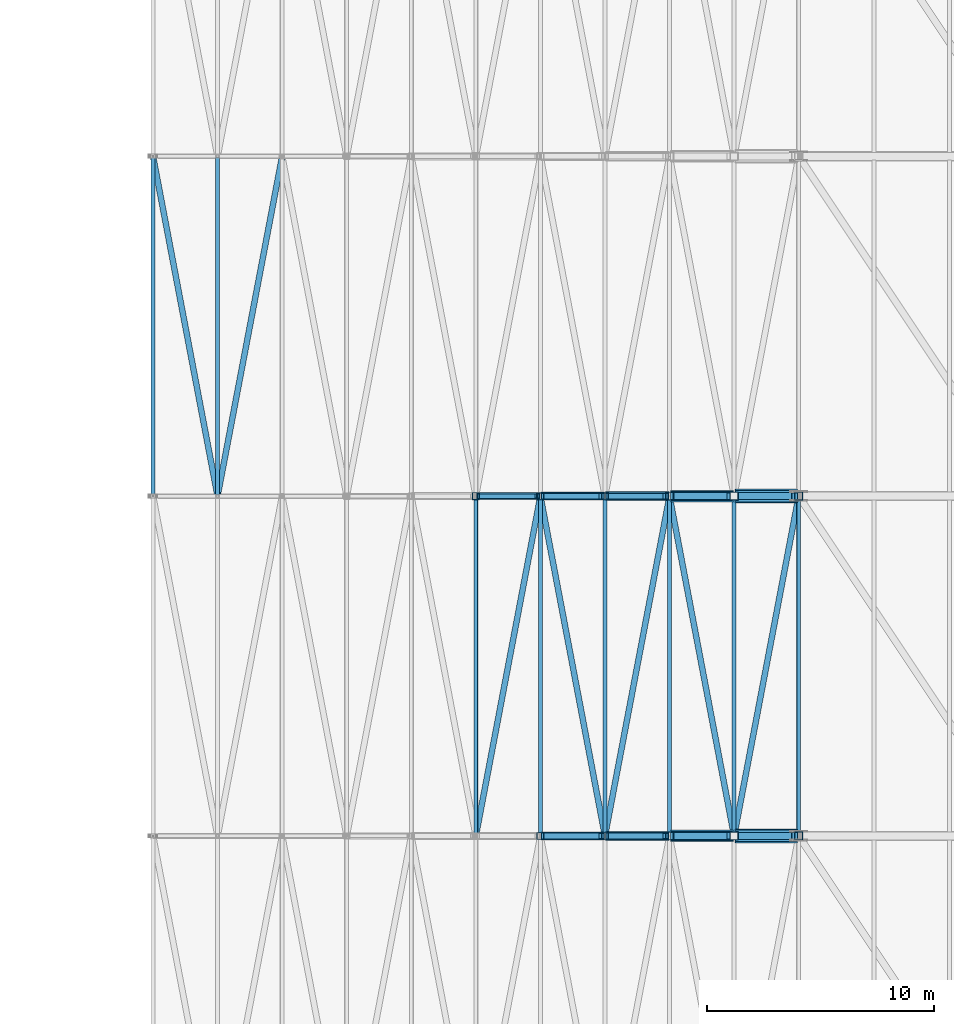
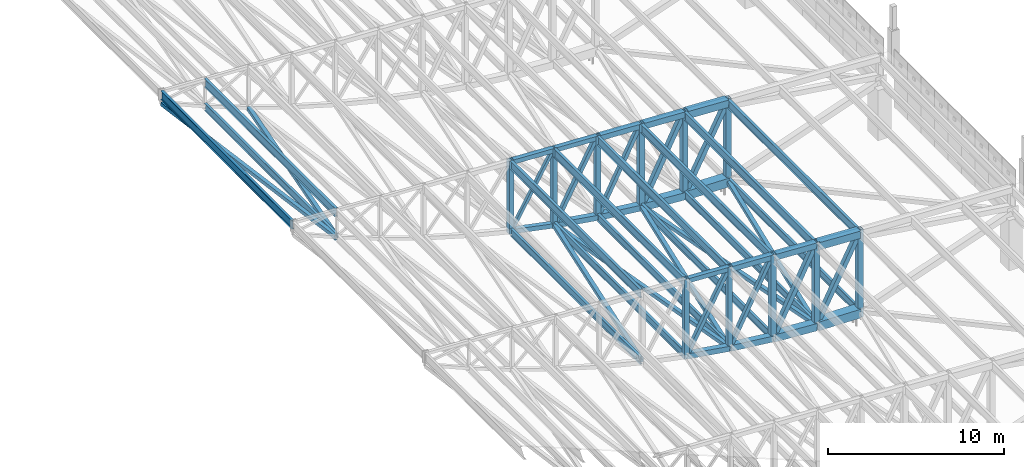
# One storey, part 58 of 278: 31 members, 29 beams.
"""IFC4 building model written with IfcOpenShell, lengths in metres."""

from ifc_helpers import new_model, si_unit, direction, frame, origin, origin_2d, place, context, subcontext, project, spatial, hollow_rectangle, i_section, extrude, material, material_profile, profile_set, type_object, element, save


model = new_model("IFC4")

# Units and contexts
model_context = context("Model", 3, precision=1e-05, world=origin(), true_north=direction((0.0, 1.0)))
body_context = subcontext(model_context, "Body", "Model", "MODEL_VIEW")
ifc_project = project(units=[si_unit("LENGTHUNIT", "METRE"), si_unit("AREAUNIT", "SQUARE_METRE"), si_unit("VOLUMEUNIT", "CUBIC_METRE"), si_unit("PLANEANGLEUNIT", "RADIAN"), si_unit("MASSUNIT", "GRAM", prefix="KILO")], contexts=[model_context])

# Site, building, storey
site_placement = place(None, origin())
site = spatial("IfcSite", under=ifc_project, at=site_placement, CompositionType="ELEMENT")
building_placement = place(site_placement, origin())
building = spatial("IfcBuilding", under=site, at=building_placement, Name="Ogive Plaza Stadium", CompositionType="ELEMENT")
storey_placement = place(building_placement, frame((0.0, 0.0, 29.0)))
storey = spatial("IfcBuildingStorey", under=building, at=storey_placement, Name="Roof", CompositionType="ELEMENT", Elevation=29.0)

# Members
ifc_material_1 = material(Name="Steel ASTM A500 Grade C", Category="steel")
ifc_material_profile_1 = material_profile(ifc_material_1, hollow_rectangle(XDim=0.25390625, YDim=0.25390625, WallThickness=0.0087890625, at=origin_2d()), Name="HSS10X10X3/8")
ifc_profile_set_1 = profile_set([ifc_material_profile_1], Name="Steel ASTM A500 Grade C")
member_type_1 = type_object("IfcMemberType", Name="Roof plan brace HSS10X10X3/8", PredefinedType="BRACE", material=ifc_profile_set_1)
member_1_placement = place(storey_placement, frame((45.513427734375, 22.4296875, 6.520751953125), z_axis=(0.1860644689, -0.979300227871, -0.079693645318), x_axis=(0.982424925297, 0.186658153196, 0.0)))
element("IfcMember", 1, at=member_1_placement, inside=storey, type_object=member_type_1, Name="ROOF BRACE B03 1", PredefinedType="BRACE", context=body_context, shape_type="SweptSolid", body=[
    extrude(hollow_rectangle(XDim=0.25390625, YDim=0.25390625, WallThickness=0.0087890625, at=origin_2d()), origin(), (0.0, 0.0, 1.0), 15.173583984375),
])
member_2_placement = place(storey_placement, frame((48.36328125, 7.5703125, 5.30078125), z_axis=(0.18619699352, 0.979917118172, -0.071366106221), x_axis=(-0.982422109195, 0.186672974385, 0.0)))
element("IfcMember", 2, at=member_2_placement, inside=storey, type_object=member_type_1, Name="ROOF BRACE B03 2", PredefinedType="BRACE", context=body_context, shape_type="SweptSolid", body=[
    extrude(hollow_rectangle(XDim=0.25390625, YDim=0.25390625, WallThickness=0.0087890625, at=origin_2d()), origin(), (0.0, 0.0, 1.0), 15.1376953125),
])
member_3_placement = place(storey_placement, frame((59.77783203125, -7.353271484375, 1.753173828125), z_axis=(0.186534960176, 0.981781820104, -0.036182403809), x_axis=(-0.982425109661, 0.186657182843, 0.0)))
element("IfcMember", 3, at=member_3_placement, inside=storey, type_object=member_type_1, Name="ROOF BRACE B04 6", PredefinedType="BRACE", context=body_context, shape_type="SweptSolid", body=[
    extrude(hollow_rectangle(XDim=0.25390625, YDim=0.25390625, WallThickness=0.0087890625, at=origin_2d()), origin(), (0.0, 0.0, 1.0), 14.9794921875),
])
member_4_placement = place(storey_placement, frame((62.6279296875, 7.353271484375, 1.20166015625), z_axis=(0.186585145076, -0.982045956233, -0.027779911508), x_axis=(0.982425109661, 0.186657182843, 0.0)))
element("IfcMember", 4, at=member_4_placement, inside=storey, type_object=member_type_1, Name="ROOF BRACE B04 7", PredefinedType="BRACE", context=body_context, shape_type="SweptSolid", body=[
    extrude(hollow_rectangle(XDim=0.25390625, YDim=0.25390625, WallThickness=0.0087890625, at=origin_2d()), origin(), (0.0, 0.0, 1.0), 14.975341796875),
])
member_5_placement = place(storey_placement, frame((65.477783203125, -7.353271484375, 0.77880859375), z_axis=(0.186639895054, 0.982268812283, -0.017706778071), x_axis=(-0.982422833867, 0.186669160538, 0.0)))
element("IfcMember", 5, at=member_5_placement, inside=storey, type_object=member_type_1, Name="ROOF BRACE B04 8", PredefinedType="BRACE", context=body_context, shape_type="SweptSolid", body=[
    extrude(hollow_rectangle(XDim=0.25390625, YDim=0.25390625, WallThickness=0.0087890625, at=origin_2d()), origin(), (0.0, 0.0, 1.0), 14.946044921875),
])
member_6_placement = place(storey_placement, frame((68.332763671875, 7.327880859375, 0.50927734375), z_axis=(0.186657320186, -0.982381109131, -0.009295226886), x_axis=(0.982423551356, 0.186665384421, 0.0)))
element("IfcMember", 6, at=member_6_placement, inside=storey, type_object=member_type_1, Name="ROOF BRACE B04 9", PredefinedType="BRACE", context=body_context, shape_type="SweptSolid", body=[
    extrude(hollow_rectangle(XDim=0.25390625, YDim=0.25390625, WallThickness=0.0087890625, at=origin_2d()), origin(), (0.0, 0.0, 1.0), 14.918701171875),
])
member_7_placement = place(storey_placement, frame((71.1826171875, -7.327880859375, 0.368408203125), z_axis=(0.186663720517, 0.982414794197, -0.004222272479), x_axis=(-0.982423551356, 0.186665384421, 0.0)))
element("IfcMember", 7, at=member_7_placement, inside=storey, type_object=member_type_1, Name="ROOF BRACE B04 10", PredefinedType="BRACE", context=body_context, shape_type="SweptSolid", body=[
    extrude(hollow_rectangle(XDim=0.25390625, YDim=0.25390625, WallThickness=0.0087890625, at=origin_2d()), origin(), (0.0, 0.0, 1.0), 14.918212890625),
])
ifc_material_2 = material(Name="Steel ASTM A992 Grade 50", Category="steel")
ifc_material_profile_2 = material_profile(ifc_material_2, i_section(OverallWidth=0.1650390625, OverallDepth=0.524658203125, WebThickness=0.0087890625, FlangeThickness=0.011474609375, at=origin_2d()), Name="W21X44")
ifc_profile_set_2 = profile_set([ifc_material_profile_2], Name="Steel ASTM A992 Grade 50")
member_type_2 = type_object("IfcMemberType", Name="Roof plan strut W21X44", PredefinedType="STRUT", material=ifc_profile_set_2)
member_8_placement = place(storey_placement, frame((48.35009765625, 22.453857421875, 5.305908203125), z_axis=(0.0, -1.0, 0.0), x_axis=(1.0, 0.0, 0.0)))
element("IfcMember", 8, at=member_8_placement, inside=storey, type_object=member_type_2, Name="ROOF STRUT B03 1", PredefinedType="STRUT", context=body_context, shape_type="SweptSolid", body=[
    extrude(i_section(OverallWidth=0.1650390625, OverallDepth=0.524658203125, WebThickness=0.0087890625, FlangeThickness=0.011474609375, at=origin_2d()), origin(), (0.0, 0.0, 1.0), 14.90771484375),
])
for number, where, z_axis, x_axis, name in (
    (9, (59.75, 7.377685546875, 1.758544921875), (0.0, -1.0, 0.0), (1.0, 0.0, 0.0), "ROOF STRUT B04 5"),
    (10, (62.60009765625, 7.377685546875, 1.205810546875), (0.0, -1.0, 0.0), (1.0, 0.0, 0.0), "ROOF STRUT B04 6"),
    (11, (65.449951171875, 7.377685546875, 0.781494140625), (0.0, -1.0, 0.0), (1.0, 0.0, 0.0), "ROOF STRUT B04 7"),
):
    element("IfcMember", number, at=place(storey_placement, frame(where, z_axis=z_axis, x_axis=x_axis)), inside=storey, type_object=member_type_2, Name=name, PredefinedType="STRUT", context=body_context, shape_type="SweptSolid", body=[
        extrude(i_section(OverallWidth=0.1650390625, OverallDepth=0.524658203125, WebThickness=0.0087890625, FlangeThickness=0.011474609375, at=origin_2d()), origin(), (0.0, 0.0, 1.0), 14.75537109375),
    ])
for number, where, z_axis, x_axis, name in (
    (12, (68.300048828125, 7.352294921875, 0.510986328125), (0.0, -1.0, 0.0), (1.0, 0.0, 0.0), "ROOF STRUT B04 8"),
    (13, (71.14990234375, 7.352294921875, 0.369140625), (0.0, -1.0, 0.0), (1.0, 0.0, 0.0), "ROOF STRUT B04 9"),
    (14, (74.0, 7.352294921875, 0.3046875), (0.0, -1.0, 0.0), (1.0, 0.0, 0.0), "ROOF STRUT B04 10"),
):
    element("IfcMember", number, at=place(storey_placement, frame(where, z_axis=z_axis, x_axis=x_axis)), inside=storey, type_object=member_type_2, Name=name, PredefinedType="STRUT", context=body_context, shape_type="SweptSolid", body=[
        extrude(i_section(OverallWidth=0.1650390625, OverallDepth=0.524658203125, WebThickness=0.0087890625, FlangeThickness=0.011474609375, at=origin_2d()), origin(), (0.0, 0.0, 1.0), 14.70458984375),
    ])
ifc_material_3 = material(Name="Steel ASTM A992 Grade 50", Category="steel")
ifc_material_profile_3 = material_profile(ifc_material_3, i_section(OverallWidth=0.177978515625, OverallDepth=0.5986328125, WebThickness=0.010009765625, FlangeThickness=0.012939453125, at=origin_2d()), Name="W24X55")
ifc_profile_set_3 = profile_set([ifc_material_profile_3], Name="Steel ASTM A992 Grade 50")
member_type_3 = type_object("IfcMemberType", Name="Roof purlin W24X55", PredefinedType="PURLIN", material=ifc_profile_set_3)
member_9_placement = place(storey_placement, frame((48.35009765625, 22.453857421875, 6.983154296875), z_axis=(0.0, -1.0, 0.0), x_axis=(1.0, 0.0, 0.0)))
element("IfcMember", 15, at=member_9_placement, inside=storey, type_object=member_type_3, Name="ROOF PURLIN B03 1", PredefinedType="PURLIN", context=body_context, shape_type="SweptSolid", body=[
    extrude(i_section(OverallWidth=0.177978515625, OverallDepth=0.5986328125, WebThickness=0.010009765625, FlangeThickness=0.012939453125, at=origin_2d()), origin(), (0.0, 0.0, 1.0), 14.90771484375),
])
for number, where, z_axis, x_axis, name in (
    (16, (59.75, 7.377685546875, 6.4130859375), (0.0, -1.0, 0.0), (1.0, 0.0, 0.0), "ROOF PURLIN B04 5"),
    (17, (62.60009765625, 7.377685546875, 6.270751953125), (0.0, -1.0, 0.0), (1.0, 0.0, 0.0), "ROOF PURLIN B04 6"),
    (18, (65.449951171875, 7.377685546875, 6.128173828125), (0.0, -1.0, 0.0), (1.0, 0.0, 0.0), "ROOF PURLIN B04 7"),
):
    element("IfcMember", number, at=place(storey_placement, frame(where, z_axis=z_axis, x_axis=x_axis)), inside=storey, type_object=member_type_3, Name=name, PredefinedType="PURLIN", context=body_context, shape_type="SweptSolid", body=[
        extrude(i_section(OverallWidth=0.177978515625, OverallDepth=0.5986328125, WebThickness=0.010009765625, FlangeThickness=0.012939453125, at=origin_2d()), origin(), (0.0, 0.0, 1.0), 14.75537109375),
    ])
for number, where, z_axis, x_axis, name in (
    (19, (68.300048828125, 7.352294921875, 5.985595703125), (0.0, -1.0, 0.0), (1.0, 0.0, 0.0), "ROOF PURLIN B04 8"),
    (20, (71.14990234375, 7.352294921875, 5.84326171875), (0.0, -1.0, 0.0), (1.0, 0.0, 0.0), "ROOF PURLIN B04 9"),
    (21, (74.0, 7.352294921875, 5.70068359375), (0.0, -1.0, 0.0), (1.0, 0.0, 0.0), "ROOF PURLIN B04 10"),
):
    element("IfcMember", number, at=place(storey_placement, frame(where, z_axis=z_axis, x_axis=x_axis)), inside=storey, type_object=member_type_3, Name=name, PredefinedType="PURLIN", context=body_context, shape_type="SweptSolid", body=[
        extrude(i_section(OverallWidth=0.177978515625, OverallDepth=0.5986328125, WebThickness=0.010009765625, FlangeThickness=0.012939453125, at=origin_2d()), origin(), (0.0, 0.0, 1.0), 14.70458984375),
    ])
ifc_material_4 = material(Name="Steel ASTM A992 Grade 50", Category="steel")
ifc_material_profile_4 = material_profile(ifc_material_4, i_section(OverallWidth=0.177978515625, OverallDepth=0.5986328125, WebThickness=0.010009765625, FlangeThickness=0.012939453125, at=origin_2d()), Name="W24X55")
ifc_profile_set_4 = profile_set([ifc_material_profile_4], Name="Steel ASTM A992 Grade 50")
member_type_4 = type_object("IfcMemberType", Name="Roof tip ring beam W24X55", PredefinedType="MEMBER", material=ifc_profile_set_4)
member_10_placement = place(storey_placement, frame((45.5, 22.453857421875, 7.125732421875), z_axis=(0.0, -1.0, 0.0), x_axis=(1.0, 0.0, 0.0)))
element("IfcMember", 22, at=member_10_placement, inside=storey, type_object=member_type_4, Name="RING BEAM B03", PredefinedType="MEMBER", context=body_context, shape_type="SweptSolid", body=[
    extrude(i_section(OverallWidth=0.177978515625, OverallDepth=0.5986328125, WebThickness=0.010009765625, FlangeThickness=0.012939453125, at=origin_2d()), origin(), (0.0, 0.0, 1.0), 14.90771484375),
])

# Beams
ifc_material_5 = material(Name="Steel ASTM A500 Grade C", Category="steel")
ifc_material_profile_5 = material_profile(ifc_material_5, hollow_rectangle(XDim=0.3046875, YDim=0.3046875, WallThickness=0.0146484375, at=origin_2d()), Name="HSS12X12X5/8")
ifc_profile_set_5 = profile_set([ifc_material_profile_5], Name="Steel ASTM A500 Grade C")
beam_type_1 = type_object("IfcBeamType", Name="Roof truss bottom chord HSS12X12X5/8", PredefinedType="BEAM", material=ifc_profile_set_5)
beam_1_placement = place(storey_placement, frame((59.800048828125, 7.5, 1.751708984375), z_axis=(0.980021250437, 0.0, -0.19889280704), x_axis=(0.0, 1.0, 0.0)))
element("IfcBeam", 23, at=beam_1_placement, inside=storey, type_object=beam_type_1, Name="ROOF TRUSS T04 BOTTOM CHORD 6", PredefinedType="BEAM", context=body_context, shape_type="SweptSolid", body=[
    extrude(hollow_rectangle(XDim=0.3046875, YDim=0.3046875, WallThickness=0.0146484375, at=origin_2d()), origin(), (0.0, 0.0, 1.0), 2.80615234375),
])
ifc_material_6 = material(Name="Steel ASTM A500 Grade C", Category="steel")
ifc_material_profile_6 = material_profile(ifc_material_6, hollow_rectangle(XDim=0.355712890625, YDim=0.355712890625, WallThickness=0.0146484375, at=origin_2d()), Name="HSS14X14X5/8")
ifc_profile_set_6 = profile_set([ifc_material_profile_6], Name="Steel ASTM A500 Grade C")
beam_type_2 = type_object("IfcBeamType", Name="Roof truss bottom chord HSS14X14X5/8", PredefinedType="BEAM", material=ifc_profile_set_6)
for number, where, z_axis, x_axis, name in (
    (24, (62.64990234375, 7.5, 1.2001953125), (0.987770074518, 0.0, -0.155917541947), (0.0, 1.0, 0.0), "ROOF TRUSS T04 BOTTOM CHORD 7"),
    (25, (62.64990234375, -7.5, 1.2001953125), (0.987770074518, 0.0, -0.155917541947), (0.0, 1.0, 0.0), "ROOF TRUSS T05 BOTTOM CHORD 7"),
):
    element("IfcBeam", number, at=place(storey_placement, frame(where, z_axis=z_axis, x_axis=x_axis)), inside=storey, type_object=beam_type_2, Name=name, PredefinedType="BEAM", context=body_context, shape_type="SweptSolid", body=[
        extrude(hollow_rectangle(XDim=0.355712890625, YDim=0.355712890625, WallThickness=0.0146484375, at=origin_2d()), origin(), (0.0, 0.0, 1.0), 2.783935546875),
    ])
ifc_material_7 = material(Name="Steel ASTM A500 Grade C", Category="steel")
ifc_material_profile_7 = material_profile(ifc_material_7, hollow_rectangle(XDim=0.406494140625, YDim=0.406494140625, WallThickness=0.0146484375, at=origin_2d()), Name="HSS16X16X5/8")
ifc_profile_set_7 = profile_set([ifc_material_profile_7], Name="Steel ASTM A500 Grade C")
beam_type_3 = type_object("IfcBeamType", Name="Roof truss bottom chord HSS16X16X5/8", PredefinedType="BEAM", material=ifc_profile_set_7)
for number, where, z_axis, x_axis, name in (
    (26, (65.5, 7.5, 0.777099609375), (0.993703844406, 0.0, -0.112038696946), (0.0, 1.0, 0.0), "ROOF TRUSS T04 BOTTOM CHORD 8"),
    (27, (65.5, -7.5, 0.777099609375), (0.993703844406, 0.0, -0.112038696946), (0.0, 1.0, 0.0), "ROOF TRUSS T05 BOTTOM CHORD 8"),
):
    element("IfcBeam", number, at=place(storey_placement, frame(where, z_axis=z_axis, x_axis=x_axis)), inside=storey, type_object=beam_type_3, Name=name, PredefinedType="BEAM", context=body_context, shape_type="SweptSolid", body=[
        extrude(hollow_rectangle(XDim=0.406494140625, YDim=0.406494140625, WallThickness=0.0146484375, at=origin_2d()), origin(), (0.0, 0.0, 1.0), 2.767333984375),
    ])
ifc_material_8 = material(Name="Steel ASTM A500 Grade C", Category="steel")
ifc_material_profile_8 = material_profile(ifc_material_8, hollow_rectangle(XDim=0.508056640625, YDim=0.508056640625, WallThickness=0.0146484375, at=origin_2d()), Name="HSS20X20X5/8")
ifc_profile_set_8 = profile_set([ifc_material_profile_8], Name="Steel ASTM A500 Grade C")
beam_type_4 = type_object("IfcBeamType", Name="Roof truss bottom chord HSS20X20X5/8", PredefinedType="BEAM", material=ifc_profile_set_8)
for number, where, z_axis, x_axis, name in (
    (28, (68.35009765625, 7.5, 0.50830078125), (0.997719620387, 0.0, -0.06749488199), (0.0, 1.0, 0.0), "ROOF TRUSS T04 BOTTOM CHORD 9"),
    (29, (68.35009765625, -7.5, 0.50830078125), (0.997719620387, 0.0, -0.06749488199), (0.0, 1.0, 0.0), "ROOF TRUSS T05 BOTTOM CHORD 9"),
):
    element("IfcBeam", number, at=place(storey_placement, frame(where, z_axis=z_axis, x_axis=x_axis)), inside=storey, type_object=beam_type_4, Name=name, PredefinedType="BEAM", context=body_context, shape_type="SweptSolid", body=[
        extrude(hollow_rectangle(XDim=0.508056640625, YDim=0.508056640625, WallThickness=0.0146484375, at=origin_2d()), origin(), (0.0, 0.0, 1.0), 2.75634765625),
    ])
ifc_material_9 = material(Name="Steel ASTM A500 Grade C", Category="steel")
ifc_material_profile_9 = material_profile(ifc_material_9, hollow_rectangle(XDim=0.609619140625, YDim=0.609619140625, WallThickness=0.0146484375, at=origin_2d()), Name="HSS24X24X5/8")
ifc_profile_set_9 = profile_set([ifc_material_profile_9], Name="Steel ASTM A500 Grade C")
beam_type_5 = type_object("IfcBeamType", Name="Roof truss bottom chord HSS24X24X5/8", PredefinedType="BEAM", material=ifc_profile_set_9)
for number, where, z_axis, x_axis, name in (
    (30, (71.199951171875, 7.5, 0.367919921875), (0.999745852076, 0.0, -0.022543984946), (0.0, 1.0, 0.0), "ROOF TRUSS T04 BOTTOM CHORD 10"),
    (31, (71.199951171875, -7.5, 0.367919921875), (0.999745852076, 0.0, -0.022543984946), (0.0, 1.0, 0.0), "ROOF TRUSS T05 BOTTOM CHORD 10"),
):
    element("IfcBeam", number, at=place(storey_placement, frame(where, z_axis=z_axis, x_axis=x_axis)), inside=storey, type_object=beam_type_5, Name=name, PredefinedType="BEAM", context=body_context, shape_type="SweptSolid", body=[
        extrude(hollow_rectangle(XDim=0.609619140625, YDim=0.609619140625, WallThickness=0.0146484375, at=origin_2d()), origin(), (0.0, 0.0, 1.0), 2.750732421875),
    ])

# Members
ifc_material_10 = material(Name="Steel ASTM A500 Grade C", Category="steel")
ifc_material_profile_10 = material_profile(ifc_material_10, hollow_rectangle(XDim=0.25390625, YDim=0.25390625, WallThickness=0.0087890625, at=origin_2d()), Name="HSS10X10X3/8")
ifc_profile_set_10 = profile_set([ifc_material_profile_10], Name="Steel ASTM A500 Grade C")
member_type_5 = type_object("IfcMemberType", Name="Roof truss diagonal HSS10X10X3/8", PredefinedType="BRACE", material=ifc_profile_set_10)
member_11_placement = place(storey_placement, frame((62.75244140625, 7.5, 1.383544921875), z_axis=(0.473127942579, 0.0, 0.880993728667), x_axis=(0.0, 1.0, 0.0)))
element("IfcMember", 32, at=member_11_placement, inside=storey, type_object=member_type_5, Name="ROOF TRUSS T04 DIAGONAL 7", PredefinedType="BRACE", context=body_context, shape_type="SweptSolid", body=[
    extrude(hollow_rectangle(XDim=0.25390625, YDim=0.25390625, WallThickness=0.0087890625, at=origin_2d()), origin(), (0.0, 0.0, 1.0), 5.37939453125),
])
member_12_placement = place(storey_placement, frame((65.602294921875, 7.5, 0.984619140625), z_axis=(0.454062843231, 0.0, 0.890969659639), x_axis=(0.0, 1.0, 0.0)))
element("IfcMember", 33, at=member_12_placement, inside=storey, type_object=member_type_5, Name="ROOF TRUSS T04 DIAGONAL 8", PredefinedType="BRACE", context=body_context, shape_type="SweptSolid", body=[
    extrude(hollow_rectangle(XDim=0.25390625, YDim=0.25390625, WallThickness=0.0087890625, at=origin_2d()), origin(), (0.0, 0.0, 1.0), 5.550048828125),
])
member_13_placement = place(storey_placement, frame((62.75244140625, -7.5, 1.383544921875), z_axis=(0.473127942579, 0.0, 0.880993728667), x_axis=(0.0, 1.0, 0.0)))
element("IfcMember", 34, at=member_13_placement, inside=storey, type_object=member_type_5, Name="ROOF TRUSS T05 DIAGONAL 7", PredefinedType="BRACE", context=body_context, shape_type="SweptSolid", body=[
    extrude(hollow_rectangle(XDim=0.25390625, YDim=0.25390625, WallThickness=0.0087890625, at=origin_2d()), origin(), (0.0, 0.0, 1.0), 5.37939453125),
])
member_14_placement = place(storey_placement, frame((65.602294921875, -7.5, 0.984619140625), z_axis=(0.454062843231, 0.0, 0.890969659639), x_axis=(0.0, 1.0, 0.0)))
element("IfcMember", 35, at=member_14_placement, inside=storey, type_object=member_type_5, Name="ROOF TRUSS T05 DIAGONAL 8", PredefinedType="BRACE", context=body_context, shape_type="SweptSolid", body=[
    extrude(hollow_rectangle(XDim=0.25390625, YDim=0.25390625, WallThickness=0.0087890625, at=origin_2d()), origin(), (0.0, 0.0, 1.0), 5.550048828125),
])
ifc_material_11 = material(Name="Steel ASTM A500 Grade C", Category="steel")
ifc_material_profile_11 = material_profile(ifc_material_11, hollow_rectangle(XDim=0.3046875, YDim=0.3046875, WallThickness=0.0087890625, at=origin_2d()), Name="HSS12X12X3/8")
ifc_profile_set_11 = profile_set([ifc_material_profile_11], Name="Steel ASTM A500 Grade C")
member_type_6 = type_object("IfcMemberType", Name="Roof truss diagonal HSS12X12X3/8", PredefinedType="BRACE", material=ifc_profile_set_11)
member_15_placement = place(storey_placement, frame((68.477783203125, 7.5, 0.764892578125), z_axis=(0.448477330766, 0.0, 0.893794206621), x_axis=(0.0, 1.0, 0.0)))
element("IfcMember", 36, at=member_15_placement, inside=storey, type_object=member_type_6, Name="ROOF TRUSS T04 DIAGONAL 9", PredefinedType="BRACE", context=body_context, shape_type="SweptSolid", body=[
    extrude(hollow_rectangle(XDim=0.3046875, YDim=0.3046875, WallThickness=0.0087890625, at=origin_2d()), origin(), (0.0, 0.0, 1.0), 5.56201171875),
])
member_16_placement = place(storey_placement, frame((71.327880859375, 7.5, 0.673828125), z_axis=(0.459750963822, 0.0, 0.888047887934), x_axis=(0.0, 1.0, 0.0)))
element("IfcMember", 37, at=member_16_placement, inside=storey, type_object=member_type_6, Name="ROOF TRUSS T04 DIAGONAL 10", PredefinedType="BRACE", context=body_context, shape_type="SweptSolid", body=[
    extrude(hollow_rectangle(XDim=0.3046875, YDim=0.3046875, WallThickness=0.0087890625, at=origin_2d()), origin(), (0.0, 0.0, 1.0), 5.425537109375),
])
member_17_placement = place(storey_placement, frame((68.477783203125, -7.5, 0.764892578125), z_axis=(0.448477330766, 0.0, 0.893794206621), x_axis=(0.0, 1.0, 0.0)))
element("IfcMember", 38, at=member_17_placement, inside=storey, type_object=member_type_6, Name="ROOF TRUSS T05 DIAGONAL 9", PredefinedType="BRACE", context=body_context, shape_type="SweptSolid", body=[
    extrude(hollow_rectangle(XDim=0.3046875, YDim=0.3046875, WallThickness=0.0087890625, at=origin_2d()), origin(), (0.0, 0.0, 1.0), 5.56201171875),
])
member_18_placement = place(storey_placement, frame((71.327880859375, -7.5, 0.673828125), z_axis=(0.459750963822, 0.0, 0.888047887934), x_axis=(0.0, 1.0, 0.0)))
element("IfcMember", 39, at=member_18_placement, inside=storey, type_object=member_type_6, Name="ROOF TRUSS T05 DIAGONAL 10", PredefinedType="BRACE", context=body_context, shape_type="SweptSolid", body=[
    extrude(hollow_rectangle(XDim=0.3046875, YDim=0.3046875, WallThickness=0.0087890625, at=origin_2d()), origin(), (0.0, 0.0, 1.0), 5.425537109375),
])
ifc_material_12 = material(Name="Steel ASTM A500 Grade C", Category="steel")
ifc_material_profile_12 = material_profile(ifc_material_12, hollow_rectangle(XDim=0.203125, YDim=0.203125, WallThickness=0.0087890625, at=origin_2d()), Name="HSS8X8X3/8")
ifc_profile_set_12 = profile_set([ifc_material_profile_12], Name="Steel ASTM A500 Grade C")
member_type_7 = type_object("IfcMemberType", Name="Roof truss diagonal HSS8X8X3/8", PredefinedType="BRACE", material=ifc_profile_set_12)
member_19_placement = place(storey_placement, frame((59.90234375, 7.5, 1.9111328125), z_axis=(0.504659398762, 0.0, 0.863318534054), x_axis=(0.0, 1.0, 0.0)))
element("IfcMember", 40, at=member_19_placement, inside=storey, type_object=member_type_7, Name="ROOF TRUSS T04 DIAGONAL 6", PredefinedType="BRACE", context=body_context, shape_type="SweptSolid", body=[
    extrude(hollow_rectangle(XDim=0.203125, YDim=0.203125, WallThickness=0.0087890625, at=origin_2d()), origin(), (0.0, 0.0, 1.0), 5.043212890625),
])

# Beams
ifc_material_13 = material(Name="Steel ASTM A500 Grade C", Category="steel")
ifc_material_profile_13 = material_profile(ifc_material_13, hollow_rectangle(XDim=0.3046875, YDim=0.3046875, WallThickness=0.01171875, at=origin_2d()), Name="HSS12X12X1/2")
ifc_profile_set_13 = profile_set([ifc_material_profile_13], Name="Steel ASTM A500 Grade C")
beam_type_6 = type_object("IfcBeamType", Name="Roof truss post HSS12X12X1/2", PredefinedType="BEAM", material=ifc_profile_set_13)
beam_2_placement = place(storey_placement, frame((59.75, 7.5, 1.606201171875), z_axis=(0.0, 0.0, 1.0), x_axis=(0.0, 1.0, 0.0)))
element("IfcBeam", 41, at=beam_2_placement, inside=storey, type_object=beam_type_6, Name="ROOF TRUSS T04 POST 6", PredefinedType="BEAM", context=body_context, shape_type="SweptSolid", body=[
    extrude(hollow_rectangle(XDim=0.3046875, YDim=0.3046875, WallThickness=0.01171875, at=origin_2d()), origin(), (0.0, 0.0, 1.0), 5.106201171875),
])
ifc_material_14 = material(Name="Steel ASTM A500 Grade C", Category="steel")
ifc_material_profile_14 = material_profile(ifc_material_14, hollow_rectangle(XDim=0.3046875, YDim=0.3046875, WallThickness=0.0146484375, at=origin_2d()), Name="HSS12X12X5/8")
ifc_profile_set_14 = profile_set([ifc_material_profile_14], Name="Steel ASTM A500 Grade C")
beam_type_7 = type_object("IfcBeamType", Name="Roof truss post HSS12X12X5/8", PredefinedType="BEAM", material=ifc_profile_set_14)
beam_3_placement = place(storey_placement, frame((62.60009765625, 7.5, 1.028076171875), z_axis=(0.0, 0.0, 1.0), x_axis=(0.0, 1.0, 0.0)))
element("IfcBeam", 42, at=beam_3_placement, inside=storey, type_object=beam_type_7, Name="ROOF TRUSS T04 POST 7", PredefinedType="BEAM", context=body_context, shape_type="SweptSolid", body=[
    extrude(hollow_rectangle(XDim=0.3046875, YDim=0.3046875, WallThickness=0.0146484375, at=origin_2d()), origin(), (0.0, 0.0, 1.0), 5.5419921875),
])
beam_4_placement = place(storey_placement, frame((65.449951171875, 7.5, 0.578369140625), z_axis=(0.0, 0.0, 1.0), x_axis=(0.0, 1.0, 0.0)))
element("IfcBeam", 43, at=beam_4_placement, inside=storey, type_object=beam_type_7, Name="ROOF TRUSS T04 POST 8", PredefinedType="BEAM", context=body_context, shape_type="SweptSolid", body=[
    extrude(hollow_rectangle(XDim=0.3046875, YDim=0.3046875, WallThickness=0.0146484375, at=origin_2d()), origin(), (0.0, 0.0, 1.0), 5.84912109375),
])
beam_5_placement = place(storey_placement, frame((62.60009765625, -7.5, 1.028076171875), z_axis=(0.0, 0.0, 1.0), x_axis=(0.0, 1.0, 0.0)))
element("IfcBeam", 44, at=beam_5_placement, inside=storey, type_object=beam_type_7, Name="ROOF TRUSS T05 POST 7", PredefinedType="BEAM", context=body_context, shape_type="SweptSolid", body=[
    extrude(hollow_rectangle(XDim=0.3046875, YDim=0.3046875, WallThickness=0.0146484375, at=origin_2d()), origin(), (0.0, 0.0, 1.0), 5.5419921875),
])
beam_6_placement = place(storey_placement, frame((65.449951171875, -7.5, 0.578369140625), z_axis=(0.0, 0.0, 1.0), x_axis=(0.0, 1.0, 0.0)))
element("IfcBeam", 45, at=beam_6_placement, inside=storey, type_object=beam_type_7, Name="ROOF TRUSS T05 POST 8", PredefinedType="BEAM", context=body_context, shape_type="SweptSolid", body=[
    extrude(hollow_rectangle(XDim=0.3046875, YDim=0.3046875, WallThickness=0.0146484375, at=origin_2d()), origin(), (0.0, 0.0, 1.0), 5.84912109375),
])
ifc_material_15 = material(Name="Steel ASTM A500 Grade C", Category="steel")
ifc_material_profile_15 = material_profile(ifc_material_15, hollow_rectangle(XDim=0.355712890625, YDim=0.355712890625, WallThickness=0.0146484375, at=origin_2d()), Name="HSS14X14X5/8")
ifc_profile_set_15 = profile_set([ifc_material_profile_15], Name="Steel ASTM A500 Grade C")
beam_type_8 = type_object("IfcBeamType", Name="Roof truss post HSS14X14X5/8", PredefinedType="BEAM", material=ifc_profile_set_15)
beam_7_placement = place(storey_placement, frame((68.300048828125, 7.5, 0.257080078125), z_axis=(0.0, 0.0, 1.0), x_axis=(0.0, 1.0, 0.0)))
element("IfcBeam", 46, at=beam_7_placement, inside=storey, type_object=beam_type_8, Name="ROOF TRUSS T04 POST 9", PredefinedType="BEAM", context=body_context, shape_type="SweptSolid", body=[
    extrude(hollow_rectangle(XDim=0.355712890625, YDim=0.355712890625, WallThickness=0.0146484375, at=origin_2d()), origin(), (0.0, 0.0, 1.0), 6.02783203125),
])
beam_8_placement = place(storey_placement, frame((71.14990234375, 7.5, 0.064208984375), z_axis=(0.0, 0.0, 1.0), x_axis=(0.0, 1.0, 0.0)))
element("IfcBeam", 47, at=beam_8_placement, inside=storey, type_object=beam_type_8, Name="ROOF TRUSS T04 POST 10", PredefinedType="BEAM", context=body_context, shape_type="SweptSolid", body=[
    extrude(hollow_rectangle(XDim=0.355712890625, YDim=0.355712890625, WallThickness=0.0146484375, at=origin_2d()), origin(), (0.0, 0.0, 1.0), 6.078369140625),
])
beam_9_placement = place(storey_placement, frame((74.0, 7.5, -0.06005859375), z_axis=(0.0, 0.0, 1.0), x_axis=(0.0, 1.0, 0.0)))
element("IfcBeam", 48, at=beam_9_placement, inside=storey, type_object=beam_type_8, Name="ROOF TRUSS T04 POST 11", PredefinedType="BEAM", context=body_context, shape_type="SweptSolid", body=[
    extrude(hollow_rectangle(XDim=0.355712890625, YDim=0.355712890625, WallThickness=0.0146484375, at=origin_2d()), origin(), (0.0, 0.0, 1.0), 6.06005859375),
])
beam_10_placement = place(storey_placement, frame((68.300048828125, -7.5, 0.257080078125), z_axis=(0.0, 0.0, 1.0), x_axis=(0.0, 1.0, 0.0)))
element("IfcBeam", 49, at=beam_10_placement, inside=storey, type_object=beam_type_8, Name="ROOF TRUSS T05 POST 9", PredefinedType="BEAM", context=body_context, shape_type="SweptSolid", body=[
    extrude(hollow_rectangle(XDim=0.355712890625, YDim=0.355712890625, WallThickness=0.0146484375, at=origin_2d()), origin(), (0.0, 0.0, 1.0), 6.02783203125),
])
beam_11_placement = place(storey_placement, frame((71.14990234375, -7.5, 0.064208984375), z_axis=(0.0, 0.0, 1.0), x_axis=(0.0, 1.0, 0.0)))
element("IfcBeam", 50, at=beam_11_placement, inside=storey, type_object=beam_type_8, Name="ROOF TRUSS T05 POST 10", PredefinedType="BEAM", context=body_context, shape_type="SweptSolid", body=[
    extrude(hollow_rectangle(XDim=0.355712890625, YDim=0.355712890625, WallThickness=0.0146484375, at=origin_2d()), origin(), (0.0, 0.0, 1.0), 6.078369140625),
])
beam_12_placement = place(storey_placement, frame((74.0, -7.5, -0.06005859375), z_axis=(0.0, 0.0, 1.0), x_axis=(0.0, 1.0, 0.0)))
element("IfcBeam", 51, at=beam_12_placement, inside=storey, type_object=beam_type_8, Name="ROOF TRUSS T05 POST 11", PredefinedType="BEAM", context=body_context, shape_type="SweptSolid", body=[
    extrude(hollow_rectangle(XDim=0.355712890625, YDim=0.355712890625, WallThickness=0.0146484375, at=origin_2d()), origin(), (0.0, 0.0, 1.0), 6.06005859375),
])
ifc_material_16 = material(Name="Steel ASTM A500 Grade C", Category="steel")
ifc_material_profile_16 = material_profile(ifc_material_16, hollow_rectangle(XDim=0.3046875, YDim=0.3046875, WallThickness=0.01171875, at=origin_2d()), Name="HSS12X12X1/2")
ifc_profile_set_16 = profile_set([ifc_material_profile_16], Name="Steel ASTM A500 Grade C")
beam_type_9 = type_object("IfcBeamType", Name="Roof truss top chord HSS12X12X1/2", PredefinedType="BEAM", material=ifc_profile_set_16)
for number, where, z_axis, x_axis, name in (
    (52, (62.64990234375, 7.5, 6.414794921875), (0.998753223187, 0.0, -0.049919927615), (0.0, 1.0, 0.0), "ROOF TRUSS T04 TOP CHORD 7"),
    (53, (62.64990234375, -7.5, 6.414794921875), (0.998753223187, 0.0, -0.049919927615), (0.0, 1.0, 0.0), "ROOF TRUSS T05 TOP CHORD 7"),
):
    element("IfcBeam", number, at=place(storey_placement, frame(where, z_axis=z_axis, x_axis=x_axis)), inside=storey, type_object=beam_type_9, Name=name, PredefinedType="BEAM", context=body_context, shape_type="SweptSolid", body=[
        extrude(hollow_rectangle(XDim=0.3046875, YDim=0.3046875, WallThickness=0.01171875, at=origin_2d()), origin(), (0.0, 0.0, 1.0), 2.75341796875),
    ])
ifc_material_17 = material(Name="Steel ASTM A500 Grade C", Category="steel")
ifc_material_profile_17 = material_profile(ifc_material_17, hollow_rectangle(XDim=0.3046875, YDim=0.3046875, WallThickness=0.0087890625, at=origin_2d()), Name="HSS12X12X3/8")
ifc_profile_set_17 = profile_set([ifc_material_profile_17], Name="Steel ASTM A500 Grade C")
beam_type_10 = type_object("IfcBeamType", Name="Roof truss top chord HSS12X12X3/8", PredefinedType="BEAM", material=ifc_profile_set_17)
beam_13_placement = place(storey_placement, frame((59.800048828125, 7.5, 6.557373046875), z_axis=(0.998753223187, 0.0, -0.049919927615), x_axis=(0.0, 1.0, 0.0)))
element("IfcBeam", 54, at=beam_13_placement, inside=storey, type_object=beam_type_10, Name="ROOF TRUSS T04 TOP CHORD 6", PredefinedType="BEAM", context=body_context, shape_type="SweptSolid", body=[
    extrude(hollow_rectangle(XDim=0.3046875, YDim=0.3046875, WallThickness=0.0087890625, at=origin_2d()), origin(), (0.0, 0.0, 1.0), 2.75341796875),
])
ifc_material_18 = material(Name="Steel ASTM A500 Grade C", Category="steel")
ifc_material_profile_18 = material_profile(ifc_material_18, hollow_rectangle(XDim=0.355712890625, YDim=0.355712890625, WallThickness=0.01171875, at=origin_2d()), Name="HSS14X14X1/2")
ifc_profile_set_18 = profile_set([ifc_material_profile_18], Name="Steel ASTM A500 Grade C")
beam_type_11 = type_object("IfcBeamType", Name="Roof truss top chord HSS14X14X1/2", PredefinedType="BEAM", material=ifc_profile_set_18)
for number, where, z_axis, x_axis, name in (
    (55, (65.5, 7.5, 6.2470703125), (0.998748798523, 0.0, -0.05000837379), (0.0, 1.0, 0.0), "ROOF TRUSS T04 TOP CHORD 8"),
    (56, (65.5, -7.5, 6.2470703125), (0.998748798523, 0.0, -0.05000837379), (0.0, 1.0, 0.0), "ROOF TRUSS T05 TOP CHORD 8"),
):
    element("IfcBeam", number, at=place(storey_placement, frame(where, z_axis=z_axis, x_axis=x_axis)), inside=storey, type_object=beam_type_11, Name=name, PredefinedType="BEAM", context=body_context, shape_type="SweptSolid", body=[
        extrude(hollow_rectangle(XDim=0.355712890625, YDim=0.355712890625, WallThickness=0.01171875, at=origin_2d()), origin(), (0.0, 0.0, 1.0), 2.75341796875),
    ])
ifc_material_19 = material(Name="Steel ASTM A500 Grade C", Category="steel")
ifc_material_profile_19 = material_profile(ifc_material_19, hollow_rectangle(XDim=0.406494140625, YDim=0.406494140625, WallThickness=0.01171875, at=origin_2d()), Name="HSS16X16X1/2")
ifc_profile_set_19 = profile_set([ifc_material_profile_19], Name="Steel ASTM A500 Grade C")
beam_type_12 = type_object("IfcBeamType", Name="Roof truss top chord HSS16X16X1/2", PredefinedType="BEAM", material=ifc_profile_set_19)
for number, where, z_axis, x_axis, name in (
    (57, (68.35009765625, 7.5, 6.0791015625), (0.998753223187, 0.0, -0.049919927615), (0.0, 1.0, 0.0), "ROOF TRUSS T04 TOP CHORD 9"),
    (58, (68.35009765625, -7.5, 6.0791015625), (0.998753223187, 0.0, -0.049919927615), (0.0, 1.0, 0.0), "ROOF TRUSS T05 TOP CHORD 9"),
):
    element("IfcBeam", number, at=place(storey_placement, frame(where, z_axis=z_axis, x_axis=x_axis)), inside=storey, type_object=beam_type_12, Name=name, PredefinedType="BEAM", context=body_context, shape_type="SweptSolid", body=[
        extrude(hollow_rectangle(XDim=0.406494140625, YDim=0.406494140625, WallThickness=0.01171875, at=origin_2d()), origin(), (0.0, 0.0, 1.0), 2.75341796875),
    ])
ifc_material_20 = material(Name="Steel ASTM A500 Grade C", Category="steel")
ifc_material_profile_20 = material_profile(ifc_material_20, hollow_rectangle(XDim=0.508056640625, YDim=0.508056640625, WallThickness=0.0146484375, at=origin_2d()), Name="HSS20X20X5/8")
ifc_profile_set_20 = profile_set([ifc_material_profile_20], Name="Steel ASTM A500 Grade C")
beam_type_13 = type_object("IfcBeamType", Name="Roof truss top chord HSS20X20X5/8", PredefinedType="BEAM", material=ifc_profile_set_20)
for number, where, z_axis, x_axis, name in (
    (59, (71.199951171875, 7.5, 5.8857421875), (0.998753223187, 0.0, -0.049919927615), (0.0, 1.0, 0.0), "ROOF TRUSS T04 TOP CHORD 10"),
    (60, (71.199951171875, -7.5, 5.8857421875), (0.998753223187, 0.0, -0.049919927615), (0.0, 1.0, 0.0), "ROOF TRUSS T05 TOP CHORD 10"),
):
    element("IfcBeam", number, at=place(storey_placement, frame(where, z_axis=z_axis, x_axis=x_axis)), inside=storey, type_object=beam_type_13, Name=name, PredefinedType="BEAM", context=body_context, shape_type="SweptSolid", body=[
        extrude(hollow_rectangle(XDim=0.508056640625, YDim=0.508056640625, WallThickness=0.0146484375, at=origin_2d()), origin(), (0.0, 0.0, 1.0), 2.75341796875),
    ])

save(model, "model.ifc")
